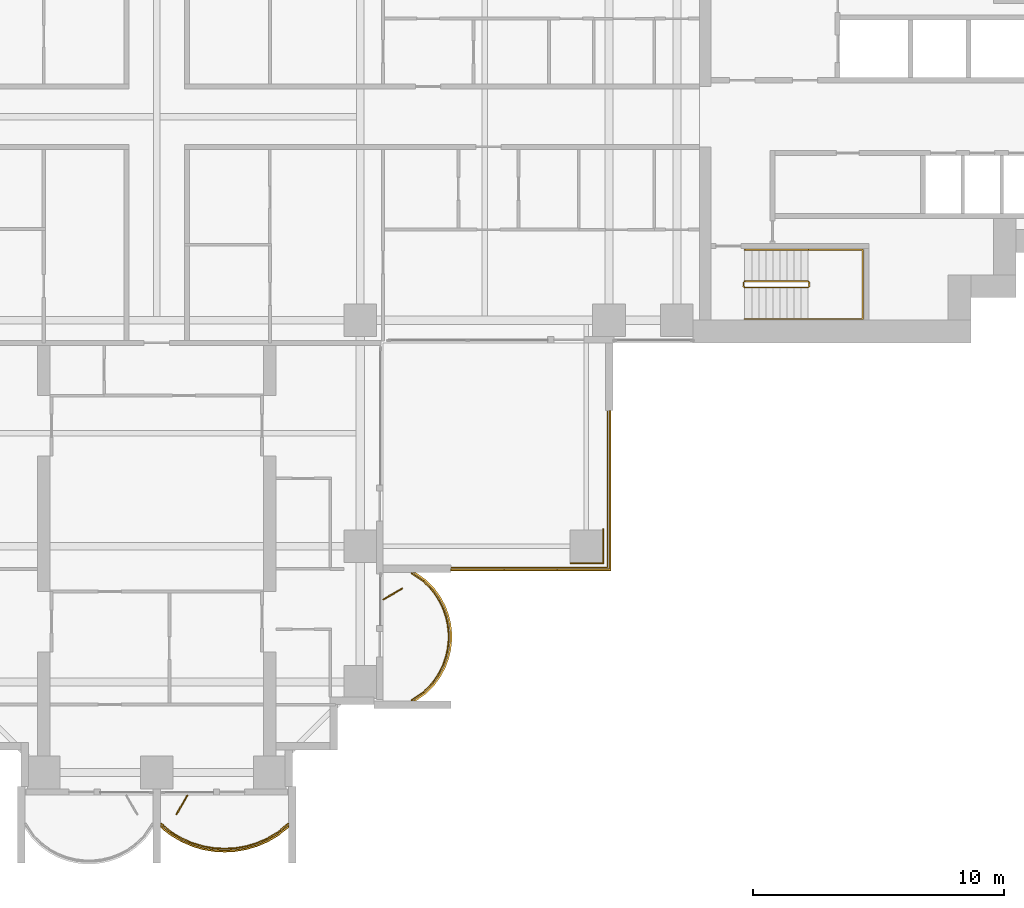
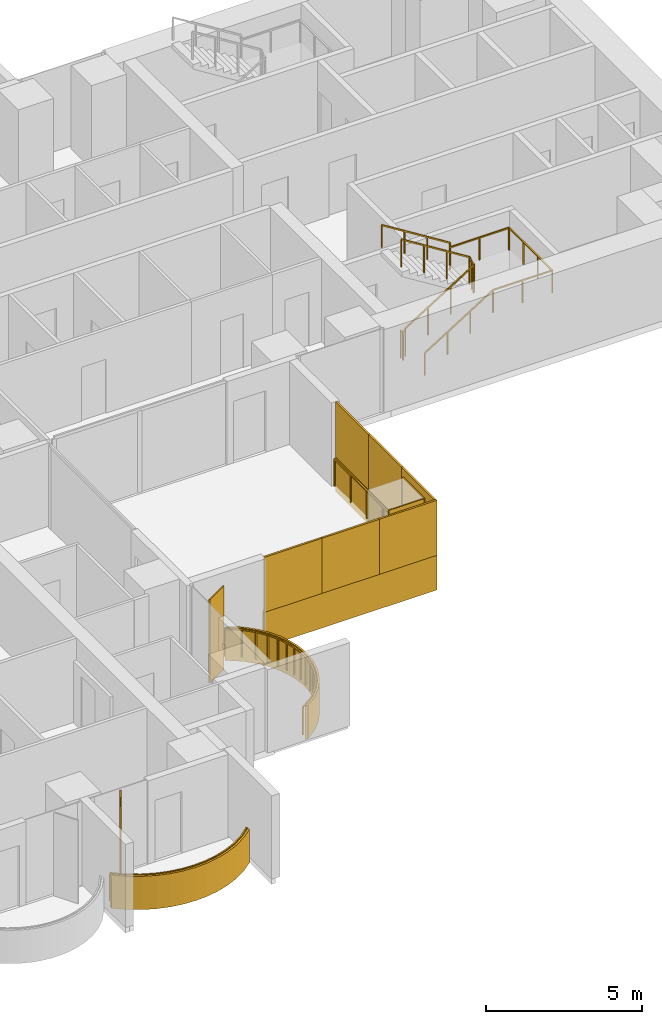
# One storey, part 18 of 21: 11 coverings, 5 railings, 2 shading devices.
"""IFC4 building model written with IfcOpenShell, lengths in metres."""

from ifc_helpers import new_model, si_unit, direction, frame, origin, origin_2d, place, context, subcontext, project, spatial, polyline, rectangle, outline, extrude, material, layer, layer_set, type_object, element, save


model = new_model("IFC4")

# Units and contexts
model_context = context("Model", 3, precision=1e-05, world=origin(), true_north=direction((0.0, 1.0)))
body_context = subcontext(model_context, "Body", "Model", "MODEL_VIEW")
ifc_project = project(units=[si_unit("LENGTHUNIT", "METRE"), si_unit("AREAUNIT", "SQUARE_METRE"), si_unit("VOLUMEUNIT", "CUBIC_METRE"), si_unit("PLANEANGLEUNIT", "RADIAN"), si_unit("MASSUNIT", "GRAM", prefix="KILO")], contexts=[model_context])

# Site, building, storey
site_placement = place(None, origin())
site = spatial("IfcSite", under=ifc_project, at=site_placement, CompositionType="ELEMENT")
building_placement = place(site_placement, origin())
building = spatial("IfcBuilding", under=site, at=building_placement, Name="Perihelion Cross Residences", CompositionType="ELEMENT")
storey_placement = place(building_placement, frame((0.0, 0.0, 47.0)))
storey = spatial("IfcBuildingStorey", under=building, at=storey_placement, Name="L08", CompositionType="ELEMENT", Elevation=47.0)

# Coverings
ifc_material_1 = material(Name="Bronze anodised aluminium", Category="aluminium")
ifc_layer_1 = layer(ifc_material_1, 0.070068359375)
ifc_layer_set_1 = layer_set([ifc_layer_1], Name="Balcony fascia 1300")
covering_type_1 = type_object("IfcCoveringType", Name="Balcony fascia 1300", PredefinedType="CLADDING", material=ifc_layer_set_1)
covering_1_placement = place(storey_placement, frame((0.0, 0.0, -0.199951171875)))
element("IfcCovering", 1, at=covering_1_placement, inside=storey, type_object=covering_type_1, Name="Fascia BF1 L08 south tip south bay 2", PredefinedType="CLADDING", context=body_context, shape_type="SweptSolid", body=[
    extrude(outline(polyline([(0.53515625, -28.59765625), (0.96826171875, -28.85498046875), (1.401123046875, -29.04248046875), (1.833984375, -29.170654296875), (2.26708984375, -29.245361328125), (2.699951171875, -29.27001953125), (3.133056640625, -29.245361328125), (3.56591796875, -29.170654296875), (3.998779296875, -29.04248046875), (4.431884765625, -28.85498046875), (4.86474609375, -28.59765625), (5.25, -28.28955078125), (5.25, -28.199951171875), (4.824951171875, -28.5400390625), (4.39990234375, -28.792724609375), (3.97509765625, -28.9765625), (3.550048828125, -29.1025390625), (3.125, -29.17578125), (2.699951171875, -29.199951171875), (2.27490234375, -29.17578125), (1.85009765625, -29.1025390625), (1.425048828125, -28.9765625), (1.0, -28.792724609375), (0.574951171875, -28.5400390625), (0.14990234375, -28.199951171875), (0.14990234375, -28.28955078125), (0.53515625, -28.59765625)])), origin(), (0.0, 0.0, 1.0), 1.300048828125),
])
covering_2_placement = place(storey_placement, frame((0.0, 0.0, -0.199951171875)))
element("IfcCovering", 2, at=covering_2_placement, inside=storey, type_object=covering_type_1, Name="Fascia BF1 L08 south side east bay 1", PredefinedType="CLADDING", context=body_context, shape_type="SweptSolid", body=[
    extrude(outline(polyline([(10.722412109375, -22.963134765625), (11.060791015625, -22.61474609375), (11.308837890625, -22.2666015625), (11.4912109375, -21.91845703125), (11.620361328125, -21.5703125), (11.703369140625, -21.22216796875), (11.743896484375, -20.8740234375), (11.743896484375, -20.52587890625), (11.703369140625, -20.177734375), (11.620361328125, -19.82958984375), (11.4912109375, -19.4814453125), (11.308837890625, -19.13330078125), (11.060791015625, -18.78515625), (10.722412109375, -18.43701171875), (10.320556640625, -18.14990234375), (10.199951171875, -18.14990234375), (10.6767578125, -18.489990234375), (11.007080078125, -18.830078125), (11.2490234375, -19.169921875), (11.42724609375, -19.510009765625), (11.553466796875, -19.85009765625), (11.63427734375, -20.18994140625), (11.674072265625, -20.530029296875), (11.674072265625, -20.8701171875), (11.63427734375, -21.2099609375), (11.553466796875, -21.550048828125), (11.42724609375, -21.889892578125), (11.2490234375, -22.22998046875), (11.007080078125, -22.570068359375), (10.6767578125, -22.909912109375), (10.199951171875, -23.25), (10.320556640625, -23.25), (10.722412109375, -22.963134765625)])), origin(), (0.0, 0.0, 1.0), 1.300048828125),
])

# Railings
ifc_material_2 = material(Name="Bronze anodised aluminium", Category="aluminium")
railing_type_1 = type_object("IfcRailingType", Name="Balcony guard 1100", PredefinedType="GUARDRAIL", material=ifc_material_2)
railing_1_placement = place(storey_placement, frame((0.175048828125, -28.139892578125, 0.0)))
element("IfcRailing", 3, at=railing_1_placement, inside=storey, type_object=railing_type_1, Name="Guard GU1 L08 south tip south bay 2 balcony", PredefinedType="GUARDRAIL", context=body_context, shape_type="SweptSolid", body=[
    extrude(rectangle(XDim=0.048095703125, YDim=0.048095703125, at=origin_2d()), frame((0.0, 0.0, 1.076171875), z_axis=(0.761778647315, -0.647837396648, 0.0), x_axis=(0.647837396648, 0.761778647315, 0.0)), (0.0, 0.0, 1.0), 0.52490234375),
    extrude(rectangle(XDim=0.048095703125, YDim=0.048095703125, at=origin_2d()), frame((0.39990234375, -0.340087890625, 1.076171875), z_axis=(0.859576918062, -0.511006381501, 0.0), x_axis=(0.511006381501, 0.859576918062, 0.0)), (0.0, 0.0, 1.0), 0.494384765625),
    extrude(rectangle(XDim=0.048095703125, YDim=0.048095703125, at=origin_2d()), frame((0.824951171875, -0.5927734375, 1.076171875), z_axis=(0.917638931453, -0.397415137459, 0.0), x_axis=(0.397415137459, 0.917638931453, 0.0)), (0.0, 0.0, 1.0), 0.463134765625),
    extrude(rectangle(XDim=0.048095703125, YDim=0.048095703125, at=origin_2d()), frame((1.25, -0.77685546875, 1.076171875), z_axis=(0.958925815697, -0.283656975924, 0.0), x_axis=(0.283656975924, 0.958925815697, 0.0)), (0.0, 0.0, 1.0), 0.443359375),
    extrude(rectangle(XDim=0.048095703125, YDim=0.048095703125, at=origin_2d()), frame((1.675048828125, -0.902587890625, 1.076171875), z_axis=(0.985365142702, -0.170456843651, 0.0), x_axis=(0.170456843651, 0.985365142702, 0.0)), (0.0, 0.0, 1.0), 0.43115234375),
    extrude(rectangle(XDim=0.048095703125, YDim=0.048095703125, at=origin_2d()), frame((2.099853515625, -0.97607421875, 1.076171875), z_axis=(0.9984195016, -0.056200523353, 0.0), x_axis=(0.056200523353, 0.9984195016, 0.0)), (0.0, 0.0, 1.0), 0.42578125),
    extrude(rectangle(XDim=0.048095703125, YDim=0.048095703125, at=origin_2d()), frame((2.52490234375, -1.0, 1.076171875), z_axis=(0.9984195016, 0.056200523353, 0.0), x_axis=(-0.056200523353, 0.9984195016, 0.0)), (0.0, 0.0, 1.0), 0.42578125),
    extrude(rectangle(XDim=0.048095703125, YDim=0.048095703125, at=origin_2d()), frame((2.949951171875, -0.97607421875, 1.076171875), z_axis=(0.985381583142, 0.17036177859, 0.0), x_axis=(-0.17036177859, 0.985381583142, 0.0)), (0.0, 0.0, 1.0), 0.431396484375),
    extrude(rectangle(XDim=0.048095703125, YDim=0.048095703125, at=origin_2d()), frame((3.375, -0.902587890625, 1.076171875), z_axis=(0.958925815697, 0.283656975924, 0.0), x_axis=(-0.283656975924, 0.958925815697, 0.0)), (0.0, 0.0, 1.0), 0.443359375),
    extrude(rectangle(XDim=0.048095703125, YDim=0.048095703125, at=origin_2d()), frame((3.800048828125, -0.77685546875, 1.076171875), z_axis=(0.91755562531, 0.397607437634, 0.0), x_axis=(-0.397607437634, 0.91755562531, 0.0)), (0.0, 0.0, 1.0), 0.462890625),
    extrude(rectangle(XDim=0.048095703125, YDim=0.048095703125, at=origin_2d()), frame((4.224853515625, -0.5927734375, 1.076171875), z_axis=(0.859576918062, 0.511006381501, 0.0), x_axis=(-0.511006381501, 0.859576918062, 0.0)), (0.0, 0.0, 1.0), 0.494384765625),
    extrude(rectangle(XDim=0.048095703125, YDim=0.048095703125, at=origin_2d()), frame((4.64990234375, -0.340087890625, 1.076171875), z_axis=(0.761973728849, 0.647607934281, 0.0), x_axis=(-0.647607934281, 0.761973728849, 0.0)), (0.0, 0.0, 1.0), 0.525146484375),
    extrude(rectangle(XDim=0.0419921875, YDim=0.0419921875, at=origin_2d()), origin(), (0.0, 0.0, 1.0), 1.052001953125),
    extrude(rectangle(XDim=0.0419921875, YDim=0.0419921875, at=origin_2d()), frame((0.39990234375, -0.340087890625, 0.0)), (0.0, 0.0, 1.0), 1.052001953125),
    extrude(rectangle(XDim=0.0419921875, YDim=0.0419921875, at=origin_2d()), frame((0.824951171875, -0.5927734375, 0.0)), (0.0, 0.0, 1.0), 1.052001953125),
    extrude(rectangle(XDim=0.0419921875, YDim=0.0419921875, at=origin_2d()), frame((1.25, -0.77685546875, 0.0)), (0.0, 0.0, 1.0), 1.052001953125),
    extrude(rectangle(XDim=0.0419921875, YDim=0.0419921875, at=origin_2d()), frame((1.675048828125, -0.902587890625, 0.0)), (0.0, 0.0, 1.0), 1.052001953125),
    extrude(rectangle(XDim=0.0419921875, YDim=0.0419921875, at=origin_2d()), frame((2.099853515625, -0.97607421875, 0.0)), (0.0, 0.0, 1.0), 1.052001953125),
    extrude(rectangle(XDim=0.0419921875, YDim=0.0419921875, at=origin_2d()), frame((2.52490234375, -1.0, 0.0)), (0.0, 0.0, 1.0), 1.052001953125),
    extrude(rectangle(XDim=0.0419921875, YDim=0.0419921875, at=origin_2d()), frame((2.949951171875, -0.97607421875, 0.0)), (0.0, 0.0, 1.0), 1.052001953125),
    extrude(rectangle(XDim=0.0419921875, YDim=0.0419921875, at=origin_2d()), frame((3.375, -0.902587890625, 0.0)), (0.0, 0.0, 1.0), 1.052001953125),
    extrude(rectangle(XDim=0.0419921875, YDim=0.0419921875, at=origin_2d()), frame((3.800048828125, -0.77685546875, 0.0)), (0.0, 0.0, 1.0), 1.052001953125),
    extrude(rectangle(XDim=0.0419921875, YDim=0.0419921875, at=origin_2d()), frame((4.224853515625, -0.5927734375, 0.0)), (0.0, 0.0, 1.0), 1.052001953125),
    extrude(rectangle(XDim=0.0419921875, YDim=0.0419921875, at=origin_2d()), frame((4.64990234375, -0.340087890625, 0.0)), (0.0, 0.0, 1.0), 1.052001953125),
    extrude(rectangle(XDim=0.0419921875, YDim=0.0419921875, at=origin_2d()), frame((5.050048828125, 0.0, 0.0)), (0.0, 0.0, 1.0), 1.052001953125),
])
railing_2_placement = place(storey_placement, frame((10.139892578125, -23.22509765625, 0.0)))
element("IfcRailing", 4, at=railing_2_placement, inside=storey, type_object=railing_type_1, Name="Guard GU1 L08 south side east bay 1 balcony", PredefinedType="GUARDRAIL", context=body_context, shape_type="SweptSolid", body=[
    extrude(rectangle(XDim=0.048095703125, YDim=0.048095703125, at=origin_2d()), frame((0.0, 0.0, 1.076171875), z_axis=(0.834212513801, 0.55144309028, 0.0), x_axis=(-0.55144309028, 0.834212513801, 0.0)), (0.0, 0.0, 1.0), 0.571533203125),
    extrude(rectangle(XDim=0.048095703125, YDim=0.048095703125, at=origin_2d()), frame((0.476806640625, 0.315185546875, 1.076171875), z_axis=(0.696990112603, 0.717080736691, 0.0), x_axis=(-0.717080736691, 0.696990112603, 0.0)), (0.0, 0.0, 1.0), 0.473876953125),
    extrude(rectangle(XDim=0.048095703125, YDim=0.048095703125, at=origin_2d()), frame((0.80712890625, 0.655029296875, 1.076171875), z_axis=(0.580075995532, 0.814562360662, 0.0), x_axis=(-0.814562360662, 0.580075995532, 0.0)), (0.0, 0.0, 1.0), 0.41748046875),
    extrude(rectangle(XDim=0.048095703125, YDim=0.048095703125, at=origin_2d()), frame((1.04931640625, 0.9951171875, 1.076171875), z_axis=(0.463674228502, 0.886005761733, 0.0), x_axis=(-0.886005761733, 0.463674228502, 0.0)), (0.0, 0.0, 1.0), 0.3837890625),
    extrude(rectangle(XDim=0.048095703125, YDim=0.048095703125, at=origin_2d()), frame((1.227294921875, 1.335205078125, 1.076171875), z_axis=(0.348169621027, 0.937431552165, 0.0), x_axis=(-0.937431552165, 0.348169621027, 0.0)), (0.0, 0.0, 1.0), 0.362548828125),
    extrude(rectangle(XDim=0.048095703125, YDim=0.048095703125, at=origin_2d()), frame((1.353515625, 1.675048828125, 1.076171875), z_axis=(0.231840805498, 0.972753741142, 0.0), x_axis=(-0.972753741142, 0.231840805498, 0.0)), (0.0, 0.0, 1.0), 0.349609375),
    extrude(rectangle(XDim=0.048095703125, YDim=0.048095703125, at=origin_2d()), frame((1.4345703125, 2.01513671875, 1.076171875), z_axis=(0.11559909788, 0.993295952156, 0.0), x_axis=(-0.993295952156, 0.11559909788, 0.0)), (0.0, 0.0, 1.0), 0.342041015625),
    extrude(rectangle(XDim=0.048095703125, YDim=0.048095703125, at=origin_2d()), frame((1.47412109375, 2.35498046875, 1.076171875), z_axis=(0.0, 1.0, 0.0), x_axis=(-1.0, 0.0, 0.0)), (0.0, 0.0, 1.0), 0.340087890625),
    extrude(rectangle(XDim=0.048095703125, YDim=0.048095703125, at=origin_2d()), frame((1.47412109375, 2.695068359375, 1.076171875), z_axis=(-0.11551721994, 0.993305477634, 0.0), x_axis=(-0.993305477634, -0.11551721994, 0.0)), (0.0, 0.0, 1.0), 0.34228515625),
    extrude(rectangle(XDim=0.048095703125, YDim=0.048095703125, at=origin_2d()), frame((1.4345703125, 3.03515625, 1.076171875), z_axis=(-0.231998396458, 0.972716168284, 0.0), x_axis=(-0.972716168284, -0.231998396458, 0.0)), (0.0, 0.0, 1.0), 0.349365234375),
    extrude(rectangle(XDim=0.048095703125, YDim=0.048095703125, at=origin_2d()), frame((1.353515625, 3.375, 1.076171875), z_axis=(-0.347949948587, 0.93751311099, 0.0), x_axis=(-0.93751311099, -0.347949948587, 0.0)), (0.0, 0.0, 1.0), 0.36279296875),
    extrude(rectangle(XDim=0.048095703125, YDim=0.048095703125, at=origin_2d()), frame((1.227294921875, 3.715087890625, 1.076171875), z_axis=(-0.463674228502, 0.886005761733, 0.0), x_axis=(-0.886005761733, -0.463674228502, 0.0)), (0.0, 0.0, 1.0), 0.3837890625),
    extrude(rectangle(XDim=0.048095703125, YDim=0.048095703125, at=origin_2d()), frame((1.04931640625, 4.05517578125, 1.076171875), z_axis=(-0.580352394782, 0.814365457194, 0.0), x_axis=(-0.814365457194, -0.580352394782, 0.0)), (0.0, 0.0, 1.0), 0.417236328125),
    extrude(rectangle(XDim=0.048095703125, YDim=0.048095703125, at=origin_2d()), frame((0.80712890625, 4.39501953125, 1.076171875), z_axis=(-0.69673269466, 0.717330852669, 0.0), x_axis=(-0.717330852669, -0.69673269466, 0.0)), (0.0, 0.0, 1.0), 0.47412109375),
    extrude(rectangle(XDim=0.048095703125, YDim=0.048095703125, at=origin_2d()), frame((0.476806640625, 4.735107421875, 1.076171875), z_axis=(-0.834409002258, 0.551145731138, 0.0), x_axis=(-0.551145731138, -0.834409002258, 0.0)), (0.0, 0.0, 1.0), 0.571533203125),
    extrude(rectangle(XDim=0.0419921875, YDim=0.0419921875, at=origin_2d()), origin(), (0.0, 0.0, 1.0), 1.052001953125),
    extrude(rectangle(XDim=0.0419921875, YDim=0.0419921875, at=origin_2d()), frame((0.476806640625, 0.315185546875, 0.0)), (0.0, 0.0, 1.0), 1.052001953125),
    extrude(rectangle(XDim=0.0419921875, YDim=0.0419921875, at=origin_2d()), frame((0.80712890625, 0.655029296875, 0.0)), (0.0, 0.0, 1.0), 1.052001953125),
    extrude(rectangle(XDim=0.0419921875, YDim=0.0419921875, at=origin_2d()), frame((1.04931640625, 0.9951171875, 0.0)), (0.0, 0.0, 1.0), 1.052001953125),
    extrude(rectangle(XDim=0.0419921875, YDim=0.0419921875, at=origin_2d()), frame((1.227294921875, 1.335205078125, 0.0)), (0.0, 0.0, 1.0), 1.052001953125),
    extrude(rectangle(XDim=0.0419921875, YDim=0.0419921875, at=origin_2d()), frame((1.353515625, 1.675048828125, 0.0)), (0.0, 0.0, 1.0), 1.052001953125),
    extrude(rectangle(XDim=0.0419921875, YDim=0.0419921875, at=origin_2d()), frame((1.4345703125, 2.01513671875, 0.0)), (0.0, 0.0, 1.0), 1.052001953125),
    extrude(rectangle(XDim=0.0419921875, YDim=0.0419921875, at=origin_2d()), frame((1.47412109375, 2.35498046875, 0.0)), (0.0, 0.0, 1.0), 1.052001953125),
    extrude(rectangle(XDim=0.0419921875, YDim=0.0419921875, at=origin_2d()), frame((1.47412109375, 2.695068359375, 0.0)), (0.0, 0.0, 1.0), 1.052001953125),
    extrude(rectangle(XDim=0.0419921875, YDim=0.0419921875, at=origin_2d()), frame((1.4345703125, 3.03515625, 0.0)), (0.0, 0.0, 1.0), 1.052001953125),
    extrude(rectangle(XDim=0.0419921875, YDim=0.0419921875, at=origin_2d()), frame((1.353515625, 3.375, 0.0)), (0.0, 0.0, 1.0), 1.052001953125),
    extrude(rectangle(XDim=0.0419921875, YDim=0.0419921875, at=origin_2d()), frame((1.227294921875, 3.715087890625, 0.0)), (0.0, 0.0, 1.0), 1.052001953125),
    extrude(rectangle(XDim=0.0419921875, YDim=0.0419921875, at=origin_2d()), frame((1.04931640625, 4.05517578125, 0.0)), (0.0, 0.0, 1.0), 1.052001953125),
    extrude(rectangle(XDim=0.0419921875, YDim=0.0419921875, at=origin_2d()), frame((0.80712890625, 4.39501953125, 0.0)), (0.0, 0.0, 1.0), 1.052001953125),
    extrude(rectangle(XDim=0.0419921875, YDim=0.0419921875, at=origin_2d()), frame((0.476806640625, 4.735107421875, 0.0)), (0.0, 0.0, 1.0), 1.052001953125),
    extrude(rectangle(XDim=0.0419921875, YDim=0.0419921875, at=origin_2d()), frame((0.0, 5.050048828125, 0.0)), (0.0, 0.0, 1.0), 1.052001953125),
])
railing_3_placement = place(storey_placement, frame((17.93994140625, -11.739990234375, 0.0)))
element("IfcRailing", 5, at=railing_3_placement, inside=storey, type_object=railing_type_1, Name="Guard GU1 L08 pocket south-east 1", PredefinedType="GUARDRAIL", context=body_context, shape_type="SweptSolid", body=[
    extrude(rectangle(XDim=0.048095703125, YDim=0.048095703125, at=origin_2d()), frame((0.0, 0.0, 1.076171875), z_axis=(0.0, -1.0, 0.0), x_axis=(1.0, 0.0, 0.0)), (0.0, 0.0, 1.0), 6.199951171875),
    extrude(rectangle(XDim=0.048095703125, YDim=0.048095703125, at=origin_2d()), frame((0.0, -6.199951171875, 1.076171875), z_axis=(-1.0, 0.0, 0.0), x_axis=(0.0, -1.0, 0.0)), (0.0, 0.0, 1.0), 6.199951171875),
    extrude(rectangle(XDim=0.0419921875, YDim=0.0419921875, at=origin_2d()), origin(), (0.0, 0.0, 1.0), 1.052001953125),
    extrude(rectangle(XDim=0.0419921875, YDim=0.0419921875, at=origin_2d()), frame((0.0, -1.033203125, 0.0)), (0.0, 0.0, 1.0), 1.052001953125),
    extrude(rectangle(XDim=0.0419921875, YDim=0.0419921875, at=origin_2d()), frame((0.0, -2.066650390625, 0.0)), (0.0, 0.0, 1.0), 1.052001953125),
    extrude(rectangle(XDim=0.0419921875, YDim=0.0419921875, at=origin_2d()), frame((0.0, -3.10009765625, 0.0)), (0.0, 0.0, 1.0), 1.052001953125),
    extrude(rectangle(XDim=0.0419921875, YDim=0.0419921875, at=origin_2d()), frame((0.0, -4.13330078125, 0.0)), (0.0, 0.0, 1.0), 1.052001953125),
    extrude(rectangle(XDim=0.0419921875, YDim=0.0419921875, at=origin_2d()), frame((0.0, -5.16650390625, 0.0)), (0.0, 0.0, 1.0), 1.052001953125),
    extrude(rectangle(XDim=0.0419921875, YDim=0.0419921875, at=origin_2d()), frame((0.0, -6.199951171875, 0.0)), (0.0, 0.0, 1.0), 1.052001953125),
    extrude(rectangle(XDim=0.0419921875, YDim=0.0419921875, at=origin_2d()), frame((-1.033203125, -6.199951171875, 0.0)), (0.0, 0.0, 1.0), 1.052001953125),
    extrude(rectangle(XDim=0.0419921875, YDim=0.0419921875, at=origin_2d()), frame((-2.066650390625, -6.199951171875, 0.0)), (0.0, 0.0, 1.0), 1.052001953125),
    extrude(rectangle(XDim=0.0419921875, YDim=0.0419921875, at=origin_2d()), frame((-3.10009765625, -6.199951171875, 0.0)), (0.0, 0.0, 1.0), 1.052001953125),
    extrude(rectangle(XDim=0.0419921875, YDim=0.0419921875, at=origin_2d()), frame((-4.13330078125, -6.199951171875, 0.0)), (0.0, 0.0, 1.0), 1.052001953125),
    extrude(rectangle(XDim=0.0419921875, YDim=0.0419921875, at=origin_2d()), frame((-5.16650390625, -6.199951171875, 0.0)), (0.0, 0.0, 1.0), 1.052001953125),
    extrude(rectangle(XDim=0.0419921875, YDim=0.0419921875, at=origin_2d()), frame((-6.199951171875, -6.199951171875, 0.0)), (0.0, 0.0, 1.0), 1.052001953125),
])

# Coverings
ifc_material_3 = material(Name="Bronze anodised aluminium", Category="aluminium")
ifc_layer_2 = layer(ifc_material_3, 0.0400390625)
ifc_layer_set_2 = layer_set([ifc_layer_2], Name="Bronze column casing 40")
covering_type_2 = type_object("IfcCoveringType", Name="Bronze column casing 40", PredefinedType="CLADDING", material=ifc_layer_set_2)
covering_3_placement = place(storey_placement, frame((17.77001953125, -17.10009765625, -0.25), z_axis=(0.0, 0.0, 1.0), x_axis=(1.0, 0.0, 0.0)))
element("IfcCovering", 6, at=covering_3_placement, inside=storey, type_object=covering_type_2, Name="Cladding CC1 L08 casing east-west no. 3", PredefinedType="CLADDING", context=body_context, shape_type="SweptSolid", body=[
    extrude(rectangle(XDim=0.0400390625, YDim=1.3798828125, at=origin_2d()), origin(), (0.0, 0.0, 1.0), 3.5),
])
covering_4_placement = place(storey_placement, frame((17.10009765625, -17.77001953125, -0.25), z_axis=(0.0, 0.0, 1.0), x_axis=(1.0, 0.0, 0.0)))
element("IfcCovering", 7, at=covering_4_placement, inside=storey, type_object=covering_type_2, Name="Cladding CC1 L08 casing north-south no. 3", PredefinedType="CLADDING", context=body_context, shape_type="SweptSolid", body=[
    extrude(rectangle(XDim=1.300048828125, YDim=0.0400390625, at=origin_2d()), origin(), (0.0, 0.0, 1.0), 3.5),
])

# Shading devices
ifc_material_4 = material(Name="Bronze anodised aluminium", Category="aluminium")
ifc_layer_3 = layer(ifc_material_4, 0.050048828125)
ifc_layer_set_3 = layer_set([ifc_layer_3], Name="Bronze fin 900")
shading_device_type = type_object("IfcShadingDeviceType", Name="Bronze fin 900", PredefinedType="USERDEFINED", material=ifc_layer_set_3)
for number, where, z_axis, x_axis, name in (
    (8, (1.0, -27.3896484375, 0.0), (0.0, 0.0, 1.0), (-0.5, -0.866025403784, 0.0), "Fin FN1 L08 south tip south bay 2"),
    (9, (9.3896484375, -19.0, 0.0), (0.0, 0.0, 1.0), (0.866025403784, 0.5, 0.0), "Fin FN1 L08 south side east bay 1"),
):
    element("IfcShadingDevice", number, at=place(storey_placement, frame(where, z_axis=z_axis, x_axis=x_axis)), inside=storey, type_object=shading_device_type, Name=name, ObjectType="FIN", PredefinedType="USERDEFINED", context=body_context, shape_type="SweptSolid", body=[
        extrude(rectangle(XDim=0.89990234375, YDim=0.050048828125, at=origin_2d()), origin(), (0.0, 0.0, 1.0), 3.25),
    ])

# Coverings
ifc_material_5 = material(Name="Bronze anodised aluminium", Category="aluminium")
ifc_layer_4 = layer(ifc_material_5, 0.070068359375)
ifc_layer_set_4 = layer_set([ifc_layer_4], Name="Pocket fascia 1350")
covering_type_3 = type_object("IfcCoveringType", Name="Pocket fascia 1350", PredefinedType="CLADDING", material=ifc_layer_set_4)
covering_5_placement = place(storey_placement, frame((0.0, 0.0, -0.25)))
element("IfcCovering", 10, at=covering_5_placement, inside=storey, type_object=covering_type_3, Name="Fascia BF2 L08 pocket south-east 3", PredefinedType="CLADDING", context=body_context, shape_type="SweptSolid", body=[
    extrude(outline(polyline([(18.070068359375, -18.070068359375), (18.070068359375, -11.699951171875), (18.0, -11.699951171875), (18.0, -18.0), (11.699951171875, -18.0), (11.699951171875, -18.070068359375), (18.070068359375, -18.070068359375)])), origin(), (0.0, 0.0, 1.0), 1.35009765625),
])
ifc_material_6 = material(Name="Bronze perforated aluminium", Category="aluminium")
ifc_layer_5 = layer(ifc_material_6, 0.070068359375)
ifc_layer_set_5 = layer_set([ifc_layer_5], Name="Pocket solar screen, bronze perforated")
covering_type_4 = type_object("IfcCoveringType", Name="Pocket solar screen, bronze perforated", PredefinedType="CLADDING", material=ifc_layer_set_5)
covering_6_placement = place(storey_placement, frame((0.0, 0.0, 1.10009765625)))
element("IfcCovering", 11, at=covering_6_placement, inside=storey, type_object=covering_type_4, Name="Solar screen PS1 L08 pocket south-east no. 1", PredefinedType="CLADDING", context=body_context, shape_type="SweptSolid", body=[
    extrude(outline(polyline([(18.070068359375, -18.0), (18.070068359375, -15.89990234375), (18.0, -15.89990234375), (18.0, -18.0), (18.070068359375, -18.0)])), origin(), (0.0, 0.0, 1.0), 2.14990234375),
])
covering_7_placement = place(storey_placement, frame((0.0, 0.0, 1.10009765625)))
element("IfcCovering", 12, at=covering_7_placement, inside=storey, type_object=covering_type_4, Name="Solar screen PS1 L08 pocket south-east no. 2", PredefinedType="CLADDING", context=body_context, shape_type="SweptSolid", body=[
    extrude(outline(polyline([(18.070068359375, -15.89990234375), (18.070068359375, -13.800048828125), (18.0, -13.800048828125), (18.0, -15.89990234375), (18.070068359375, -15.89990234375)])), origin(), (0.0, 0.0, 1.0), 2.14990234375),
])
covering_8_placement = place(storey_placement, frame((0.0, 0.0, 1.10009765625)))
element("IfcCovering", 13, at=covering_8_placement, inside=storey, type_object=covering_type_4, Name="Solar screen PS1 L08 pocket south-east no. 3", PredefinedType="CLADDING", context=body_context, shape_type="SweptSolid", body=[
    extrude(outline(polyline([(18.070068359375, -13.800048828125), (18.070068359375, -11.699951171875), (18.0, -11.699951171875), (18.0, -13.800048828125), (18.070068359375, -13.800048828125)])), origin(), (0.0, 0.0, 1.0), 2.14990234375),
])
covering_9_placement = place(storey_placement, frame((0.0, 0.0, 1.10009765625)))
element("IfcCovering", 14, at=covering_9_placement, inside=storey, type_object=covering_type_4, Name="Solar screen PS1 L08 pocket south-east no. 4", PredefinedType="CLADDING", context=body_context, shape_type="SweptSolid", body=[
    extrude(outline(polyline([(13.8232421875, -18.070068359375), (13.8232421875, -18.0), (11.699951171875, -18.0), (11.699951171875, -18.070068359375), (13.8232421875, -18.070068359375)])), origin(), (0.0, 0.0, 1.0), 2.14990234375),
])
covering_10_placement = place(storey_placement, frame((0.0, 0.0, 1.10009765625)))
element("IfcCovering", 15, at=covering_10_placement, inside=storey, type_object=covering_type_4, Name="Solar screen PS1 L08 pocket south-east no. 5", PredefinedType="CLADDING", context=body_context, shape_type="SweptSolid", body=[
    extrude(outline(polyline([(15.94677734375, -18.070068359375), (15.94677734375, -18.0), (13.8232421875, -18.0), (13.8232421875, -18.070068359375), (15.94677734375, -18.070068359375)])), origin(), (0.0, 0.0, 1.0), 2.14990234375),
])
covering_11_placement = place(storey_placement, frame((0.0, 0.0, 1.10009765625)))
element("IfcCovering", 16, at=covering_11_placement, inside=storey, type_object=covering_type_4, Name="Solar screen PS1 L08 pocket south-east no. 6", PredefinedType="CLADDING", context=body_context, shape_type="SweptSolid", body=[
    extrude(outline(polyline([(18.070068359375, -18.070068359375), (18.070068359375, -18.0), (15.94677734375, -18.0), (15.94677734375, -18.070068359375), (18.070068359375, -18.070068359375)])), origin(), (0.0, 0.0, 1.0), 2.14990234375),
])

# Railings
ifc_material_7 = material(Name="Stainless steel", Category="steel")
railing_type_2 = type_object("IfcRailingType", Name="Stair guard 1100", PredefinedType="GUARDRAIL", material=ifc_material_7)
railing_4_placement = place(storey_placement, frame((23.35009765625, -6.60009765625, 0.0)))
element("IfcRailing", 17, at=railing_4_placement, inside=storey, type_object=railing_type_2, Name="L08 ST-E2 stair guard 1", PredefinedType="GUARDRAIL", context=body_context, shape_type="SweptSolid", body=[
    extrude(rectangle(XDim=0.048095703125, YDim=0.048095703125, at=origin_2d()), frame((0.0, 0.0, 1.076171875), z_axis=(0.0, -1.0, 0.0), x_axis=(1.0, 0.0, 0.0)), (0.0, 0.0, 1.0), 0.14990234375),
    extrude(rectangle(XDim=0.048095703125, YDim=0.048095703125, at=origin_2d()), frame((0.0, -0.14990234375, 1.076171875), z_axis=(0.263862480399, -0.265155923931, 0.927399011991), x_axis=(0.708833529934, 0.705375805398, 0.0)), (0.0, 0.0, 1.0), 0.188720703125),
    extrude(rectangle(XDim=0.048095703125, YDim=0.048095703125, at=origin_2d()), frame((0.0498046875, -0.199951171875, 1.2509765625), z_axis=(0.848007534815, 0.0, 0.529984170421), x_axis=(0.0, 1.0, 0.0)), (0.0, 0.0, 1.0), 2.9716796875),
    extrude(rectangle(XDim=0.048095703125, YDim=0.048095703125, at=origin_2d()), frame((2.56982421875, -0.199951171875, 2.826171875), z_axis=(0.707106781187, 0.707106781187, 0.0), x_axis=(-0.707106781187, 0.707106781187, 0.0)), (0.0, 0.0, 1.0), 0.07080078125),
    extrude(rectangle(XDim=0.048095703125, YDim=0.048095703125, at=origin_2d()), frame((2.619873046875, -0.14990234375, 2.826171875), z_axis=(0.0, 1.0, 0.0), x_axis=(-1.0, 0.0, 0.0)), (0.0, 0.0, 1.0), 0.14990234375),
    extrude(rectangle(XDim=0.048095703125, YDim=0.048095703125, at=origin_2d()), frame((2.619873046875, 0.0, 2.826171875), z_axis=(-0.265065253269, 0.265065253269, 0.927081885822), x_axis=(-0.707106781187, -0.707106781187, 0.0)), (0.0, 0.0, 1.0), 0.188720703125),
    extrude(rectangle(XDim=0.048095703125, YDim=0.048095703125, at=origin_2d()), frame((2.56982421875, 0.050048828125, 3.0009765625), z_axis=(-0.848007534815, 0.0, 0.529984170421), x_axis=(0.0, -1.0, 0.0)), (0.0, 0.0, 1.0), 2.9716796875),
    extrude(rectangle(XDim=0.0419921875, YDim=0.0419921875, at=origin_2d()), origin(), (0.0, 0.0, 1.0), 1.052001953125),
    extrude(rectangle(XDim=0.0419921875, YDim=0.0419921875, at=origin_2d()), frame((0.0, -0.14990234375, 0.0)), (0.0, 0.0, 1.0), 1.052001953125),
    extrude(rectangle(XDim=0.0419921875, YDim=0.0419921875, at=origin_2d()), frame((0.0498046875, -0.199951171875, 0.175048828125)), (0.0, 0.0, 1.0), 1.052001953125),
    extrude(rectangle(XDim=0.0419921875, YDim=0.0419921875, at=origin_2d()), frame((0.889892578125, -0.199951171875, 0.699951171875)), (0.0, 0.0, 1.0), 1.052001953125),
    extrude(rectangle(XDim=0.0419921875, YDim=0.0419921875, at=origin_2d()), frame((1.729736328125, -0.199951171875, 1.22509765625)), (0.0, 0.0, 1.0), 1.052001953125),
    extrude(rectangle(XDim=0.0419921875, YDim=0.0419921875, at=origin_2d()), frame((2.56982421875, -0.199951171875, 1.75)), (0.0, 0.0, 1.0), 1.052001953125),
    extrude(rectangle(XDim=0.0419921875, YDim=0.0419921875, at=origin_2d()), frame((2.619873046875, -0.14990234375, 1.75)), (0.0, 0.0, 1.0), 1.052001953125),
    extrude(rectangle(XDim=0.0419921875, YDim=0.0419921875, at=origin_2d()), frame((2.619873046875, 0.0, 1.75)), (0.0, 0.0, 1.0), 1.052001953125),
    extrude(rectangle(XDim=0.0419921875, YDim=0.0419921875, at=origin_2d()), frame((2.56982421875, 0.050048828125, 1.925048828125)), (0.0, 0.0, 1.0), 1.052001953125),
    extrude(rectangle(XDim=0.0419921875, YDim=0.0419921875, at=origin_2d()), frame((1.729736328125, 0.050048828125, 2.449951171875)), (0.0, 0.0, 1.0), 1.052001953125),
    extrude(rectangle(XDim=0.0419921875, YDim=0.0419921875, at=origin_2d()), frame((0.889892578125, 0.050048828125, 2.97509765625)), (0.0, 0.0, 1.0), 1.052001953125),
    extrude(rectangle(XDim=0.0419921875, YDim=0.0419921875, at=origin_2d()), frame((0.0498046875, 0.050048828125, 3.5)), (0.0, 0.0, 1.0), 1.052001953125),
])
ifc_material_8 = material(Name="Stainless steel", Category="steel")
railing_type_3 = type_object("IfcRailingType", Name="Stair handrail 900", PredefinedType="HANDRAIL", material=ifc_material_8)
railing_5_placement = place(storey_placement, frame((23.39990234375, -8.050048828125, 0.175048828125)))
element("IfcRailing", 18, at=railing_5_placement, inside=storey, type_object=railing_type_3, Name="L08 ST-E2 stair handrail 1", PredefinedType="HANDRAIL", context=body_context, shape_type="SweptSolid", body=[
    extrude(rectangle(XDim=0.048095703125, YDim=0.048095703125, at=origin_2d()), frame((0.0, 0.0, 0.8759765625), z_axis=(0.848007534815, 0.0, 0.529984170421), x_axis=(0.0, 1.0, 0.0)), (0.0, 0.0, 1.0), 2.9716796875),
    extrude(rectangle(XDim=0.048095703125, YDim=0.048095703125, at=origin_2d()), frame((2.52001953125, 0.0, 2.45068359375), z_axis=(1.0, 0.0, 0.0), x_axis=(0.0, 1.0, 0.0)), (0.0, 0.0, 1.0), 2.18017578125),
    extrude(rectangle(XDim=0.048095703125, YDim=0.048095703125, at=origin_2d()), frame((4.7001953125, 0.0, 2.45068359375), z_axis=(0.0, 1.0, 0.0), x_axis=(-1.0, 0.0, 0.0)), (0.0, 0.0, 1.0), 2.75),
    extrude(rectangle(XDim=0.048095703125, YDim=0.048095703125, at=origin_2d()), frame((4.7001953125, 2.75, 2.45068359375), z_axis=(-1.0, 0.0, 0.0), x_axis=(0.0, -1.0, 0.0)), (0.0, 0.0, 1.0), 2.18017578125),
    extrude(rectangle(XDim=0.048095703125, YDim=0.048095703125, at=origin_2d()), frame((2.52001953125, 2.75, 2.45068359375), z_axis=(0.0, 0.0, 1.0), x_axis=(1.0, 0.0, 0.0)), (0.0, 0.0, 1.0), 0.175048828125),
    extrude(rectangle(XDim=0.048095703125, YDim=0.048095703125, at=origin_2d()), frame((2.52001953125, 2.75, 2.6259765625), z_axis=(-0.848007534815, 0.0, 0.529984170421), x_axis=(0.0, -1.0, 0.0)), (0.0, 0.0, 1.0), 2.9716796875),
    extrude(rectangle(XDim=0.0419921875, YDim=0.0419921875, at=origin_2d()), origin(), (0.0, 0.0, 1.0), 0.851806640625),
    extrude(rectangle(XDim=0.0419921875, YDim=0.0419921875, at=origin_2d()), frame((0.840087890625, 0.0, 0.52490234375)), (0.0, 0.0, 1.0), 0.851806640625),
    extrude(rectangle(XDim=0.0419921875, YDim=0.0419921875, at=origin_2d()), frame((1.679931640625, 0.0, 1.050048828125)), (0.0, 0.0, 1.0), 0.851806640625),
    extrude(rectangle(XDim=0.0419921875, YDim=0.0419921875, at=origin_2d()), frame((2.52001953125, 0.0, 1.574951171875)), (0.0, 0.0, 1.0), 0.851806640625),
    extrude(rectangle(XDim=0.0419921875, YDim=0.0419921875, at=origin_2d()), frame((3.610107421875, 0.0, 1.574951171875)), (0.0, 0.0, 1.0), 0.851806640625),
    extrude(rectangle(XDim=0.0419921875, YDim=0.0419921875, at=origin_2d()), frame((4.7001953125, 0.0, 1.574951171875)), (0.0, 0.0, 1.0), 0.851806640625),
    extrude(rectangle(XDim=0.0419921875, YDim=0.0419921875, at=origin_2d()), frame((4.7001953125, 0.916748046875, 1.574951171875)), (0.0, 0.0, 1.0), 0.851806640625),
    extrude(rectangle(XDim=0.0419921875, YDim=0.0419921875, at=origin_2d()), frame((4.7001953125, 1.833251953125, 1.574951171875)), (0.0, 0.0, 1.0), 0.851806640625),
    extrude(rectangle(XDim=0.0419921875, YDim=0.0419921875, at=origin_2d()), frame((4.7001953125, 2.75, 1.574951171875)), (0.0, 0.0, 1.0), 0.851806640625),
    extrude(rectangle(XDim=0.0419921875, YDim=0.0419921875, at=origin_2d()), frame((3.610107421875, 2.75, 1.574951171875)), (0.0, 0.0, 1.0), 0.851806640625),
    extrude(rectangle(XDim=0.0419921875, YDim=0.0419921875, at=origin_2d()), frame((2.52001953125, 2.75, 1.574951171875)), (0.0, 0.0, 1.0), 0.851806640625),
    extrude(rectangle(XDim=0.0419921875, YDim=0.0419921875, at=origin_2d()), frame((2.52001953125, 2.75, 1.75)), (0.0, 0.0, 1.0), 0.851806640625),
    extrude(rectangle(XDim=0.0419921875, YDim=0.0419921875, at=origin_2d()), frame((1.679931640625, 2.75, 2.27490234375)), (0.0, 0.0, 1.0), 0.851806640625),
    extrude(rectangle(XDim=0.0419921875, YDim=0.0419921875, at=origin_2d()), frame((0.840087890625, 2.75, 2.800048828125)), (0.0, 0.0, 1.0), 0.851806640625),
    extrude(rectangle(XDim=0.0419921875, YDim=0.0419921875, at=origin_2d()), frame((0.0, 2.75, 3.324951171875)), (0.0, 0.0, 1.0), 0.851806640625),
])

save(model, "model.ifc")
